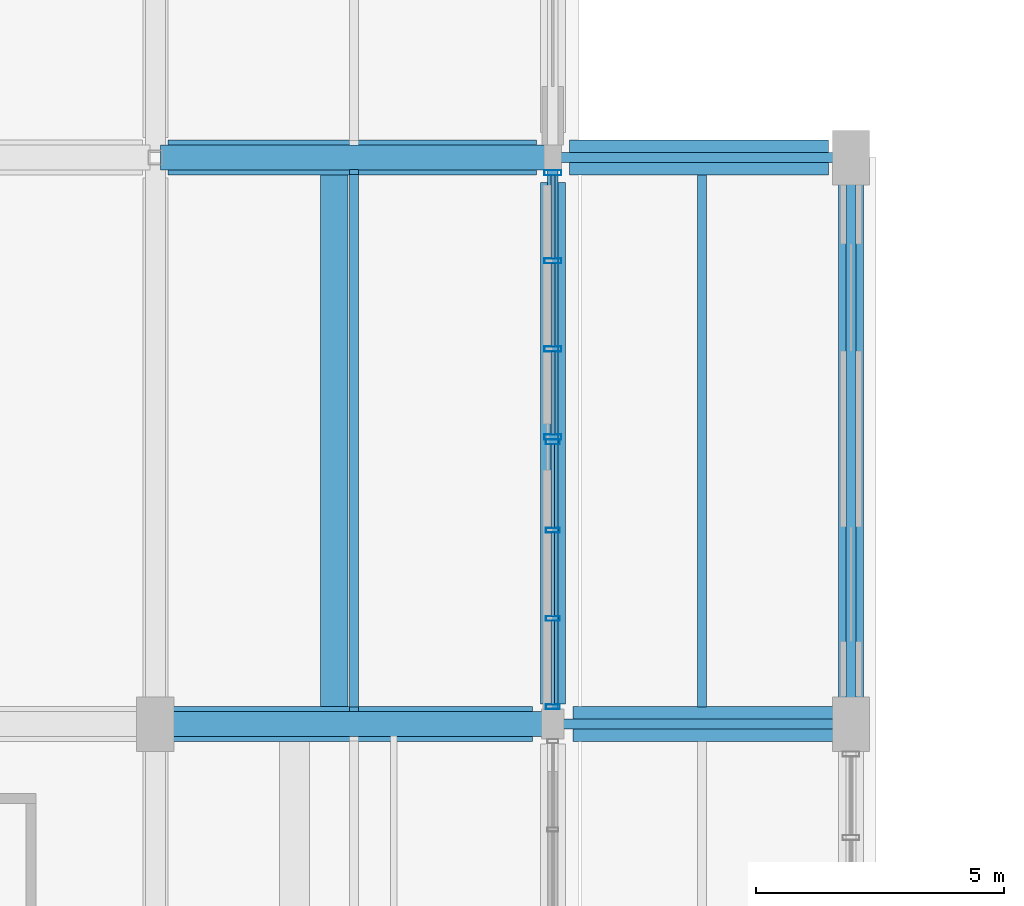
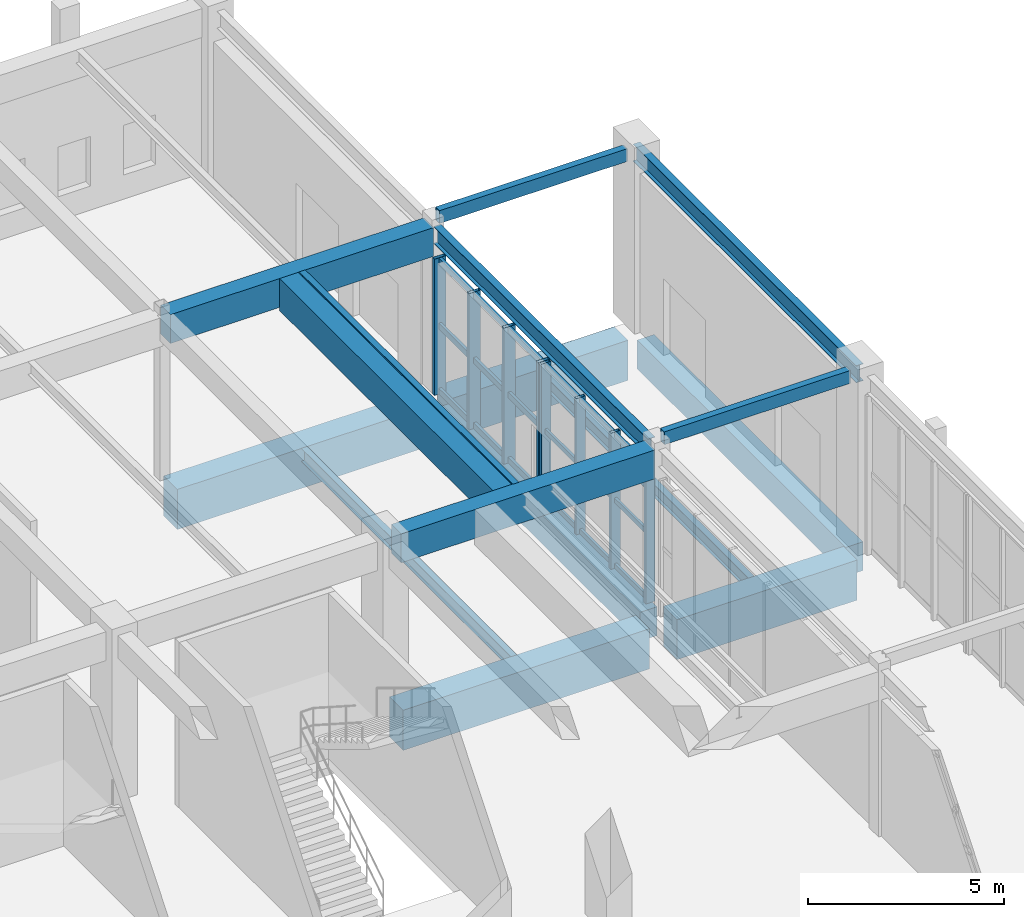
# One storey, part 52 of 113: 26 members, 16 beams, 2 elements without a shape of their own.
"""IFC4 building model written with IfcOpenShell, lengths in metres."""

import ifcopenshell
import ifcopenshell.guid

model = None  # the IFC model being written
_history = None  # IfcOwnerHistory: only IFC2X3 demands one
_inside = {}  # id of a spatial element -> (the spatial element, [elements in it])
_under = {}  # id of a project, library or spatial element -> (it, [spatial elements below it])
_declared = {}  # id of a project -> (the project, [libraries it declares])
_typed = {}  # id of a type object -> (the type object, [elements of that type])
_made_of = {}  # id of a material, layer set ... -> (it, [elements and type objects made of it])


def new_model(schema):
    """Start an empty IFC model of exactly this schema.

    Asked for "IFC4X3", IfcOpenShell would pick the latest addendum, in which some entities
    have other attributes; the version numbers below select the first issue.
    IFC2X3 requires an IfcOwnerHistory on every rooted entity: one is made here for all.
    """
    global model, _history
    if schema == "IFC4X3":
        model = ifcopenshell.file(schema_version=(4, 3, 0, 0))
    else:
        model = ifcopenshell.file(schema=schema)
    _inside.clear()
    _under.clear()
    _declared.clear()
    _typed.clear()
    _made_of.clear()
    _history = None
    if model.schema == "IFC2X3":
        org = make("IfcOrganization", Name="unknown")
        user = make(
            "IfcPersonAndOrganization",
            ThePerson=make("IfcPerson", FamilyName="unknown"),
            TheOrganization=org,
        )
        app = make(
            "IfcApplication",
            ApplicationDeveloper=org,
            Version="unknown",
            ApplicationFullName="unknown",
            ApplicationIdentifier="unknown",
        )
        _history = make(
            "IfcOwnerHistory",
            OwningUser=user,
            OwningApplication=app,
            ChangeAction="ADDED",
            CreationDate=0,
        )
    return model


def make(cls, **values):
    """One entity of the class cls with the attributes given. An attribute that is None is left unset."""
    return model.create_entity(
        cls, **{name: value for name, value in values.items() if value is not None}
    )


def rooted(cls, **values):
    """An entity with a GlobalId (a new one), such as an element, a storey or a relation."""
    return make(cls, GlobalId=ifcopenshell.guid.new(), OwnerHistory=_history, **values)


def si_unit(unit_type, name, prefix=None):
    """IfcSIUnit, for example si_unit("LENGTHUNIT", "METRE", prefix="MILLI")."""
    return make("IfcSIUnit", UnitType=unit_type, Prefix=prefix, Name=name)


def assignment(units):
    """IfcUnitAssignment: the units of a project."""
    return None if units is None else make("IfcUnitAssignment", Units=units)


def point(xyz):
    """IfcCartesianPoint."""
    return None if xyz is None else make("IfcCartesianPoint", Coordinates=xyz)


def direction(xyz):
    """IfcDirection."""
    return None if xyz is None else make("IfcDirection", DirectionRatios=xyz)


def frame(location, z_axis=None, x_axis=None):
    """IfcAxis2Placement3D, a coordinate frame: its origin and axes. An axis left out is left unset."""
    return make(
        "IfcAxis2Placement3D",
        Location=point(location),
        Axis=direction(z_axis),
        RefDirection=direction(x_axis),
    )


def frame_2d(location, x_axis=None):
    """IfcAxis2Placement2D, a coordinate frame in the plane: its origin and x axis."""
    return make(
        "IfcAxis2Placement2D", Location=point(location), RefDirection=direction(x_axis)
    )


def origin():
    """The frame at (0, 0, 0) with its axes left unset."""
    return frame((0.0, 0.0, 0.0))


def origin_2d():
    """The frame at (0, 0) in the plane with its x axis left unset."""
    return frame_2d((0.0, 0.0))


def place(relative_to, where):
    """IfcLocalPlacement: puts the frame where relative to a parent placement (None: the world)."""
    return make(
        "IfcLocalPlacement", PlacementRelTo=relative_to, RelativePlacement=where
    )


def context(
    kind, dimensions, precision=None, world=None, true_north=None, identifier=None
):
    """IfcGeometricRepresentationContext, for example the 3D "Model" context."""
    return make(
        "IfcGeometricRepresentationContext",
        ContextIdentifier=identifier,
        ContextType=kind,
        CoordinateSpaceDimension=dimensions,
        Precision=precision,
        WorldCoordinateSystem=world,
        TrueNorth=true_north,
    )


def subcontext(parent, identifier, kind, view, scale=None):
    """IfcGeometricRepresentationSubContext, for example "Body" below "Model"."""
    return make(
        "IfcGeometricRepresentationSubContext",
        ContextIdentifier=identifier,
        ContextType=kind,
        ParentContext=parent,
        TargetScale=scale,
        TargetView=view,
    )


def project(units=None, contexts=None):
    """IfcProject with its units and contexts."""
    return rooted(
        "IfcProject",
        Name="project",
        RepresentationContexts=contexts,
        UnitsInContext=assignment(units),
    )


def spatial(cls, under=None, at=None, **own):
    """A site, building, storey or space (cls), placed at a placement, below another one or the project."""
    s = rooted(cls, ObjectPlacement=at, **own)
    if under is not None:
        _under.setdefault(under.id(), (under, []))[1].append(s)
    return s


def profile(cls, at=None, kind="AREA", **sizes):
    """A parametric profile (cls). Its sizes go by their IFC names, for example OverallWidth=200.0."""
    return make(cls, ProfileType=kind, Position=at, **sizes)


def rectangle(**sizes):
    """IfcRectangleProfileDef."""
    return profile("IfcRectangleProfileDef", **sizes)


def hollow_rectangle(**sizes):
    """IfcRectangleHollowProfileDef."""
    return profile("IfcRectangleHollowProfileDef", **sizes)


def i_section(**sizes):
    """IfcIShapeProfileDef."""
    return profile("IfcIShapeProfileDef", **sizes)


def extrude(swept, where, along, depth):
    """IfcExtrudedAreaSolid: the profile swept, set in the frame where, extruded along a direction by depth."""
    return make(
        "IfcExtrudedAreaSolid",
        SweptArea=swept,
        Position=where,
        ExtrudedDirection=direction(along),
        Depth=depth,
    )


def shape(context_of_items, identifier, shape_type, items):
    """IfcShapeRepresentation: the items that make up one representation, for example the "Body"."""
    return make(
        "IfcShapeRepresentation",
        ContextOfItems=context_of_items,
        RepresentationIdentifier=identifier,
        RepresentationType=shape_type,
        Items=items,
    )


def material(Name=None, Category=None):
    """IfcMaterial."""
    return make("IfcMaterial", Name=Name, Category=Category)


def layer(
    of_material, thickness, ventilated=None, Name=None, Category=None, Priority=None
):
    """IfcMaterialLayer: one layer of a wall or slab, of a material (None: an air gap)."""
    return make(
        "IfcMaterialLayer",
        Material=of_material,
        LayerThickness=thickness,
        IsVentilated=ventilated,
        Name=Name,
        Category=Category,
        Priority=Priority,
    )


def layer_set(layers, Name=None):
    """IfcMaterialLayerSet."""
    return make("IfcMaterialLayerSet", MaterialLayers=layers, LayerSetName=Name)


def material_profile(
    of_material, cross_section, Name=None, Category=None, Priority=None
):
    """IfcMaterialProfile: a cross section and its material."""
    return make(
        "IfcMaterialProfile",
        Name=Name,
        Material=of_material,
        Profile=cross_section,
        Priority=Priority,
        Category=Category,
    )


def profile_set(profiles, Name=None, composite=None):
    """IfcMaterialProfileSet."""
    return make(
        "IfcMaterialProfileSet",
        Name=Name,
        MaterialProfiles=profiles,
        CompositeProfile=composite,
    )


def made_of(thing, what):
    """Note that an element or type object is made of a material, layer set ...; save() writes the relation."""
    if what is not None:
        _made_of.setdefault(what.id(), (what, []))[1].append(thing)
    return thing


def type_object(cls, material=None, **own):
    """A type object (cls), such as IfcWallType, which elements share."""
    return made_of(rooted(cls, **own), material)


def element(
    cls,
    number,
    at=None,
    inside=None,
    cuts=None,
    type_object=None,
    material=None,
    context=None,
    identifier="Body",
    shape_type=None,
    held_by="IfcProductDefinitionShape",
    body=None,
    shapes=None,
    **own,
):
    """One element of the class cls, such as IfcWall. Its Tag is "e" and its number.

    at: its placement. inside: the storey or other place that contains it. cuts: it is an
    opening in that element (IfcRelVoidsElement). A single representation is given by context,
    identifier, shape_type and body (its items); several are given by shapes. held_by: the class
    of the entity that holds the representations. save() writes the other relations.
    """
    e = rooted(cls, Tag="e%d" % number, ObjectPlacement=at, **own)
    if body is not None:
        shapes = [shape(context, identifier, shape_type, body)]
    if shapes is not None:
        e.Representation = make(held_by, Representations=shapes)
    if inside is not None:
        _inside.setdefault(inside.id(), (inside, []))[1].append(e)
    if cuts is not None:
        rooted(
            "IfcRelVoidsElement", RelatingBuildingElement=cuts, RelatedOpeningElement=e
        )
    if type_object is not None:
        _typed.setdefault(type_object.id(), (type_object, []))[1].append(e)
    return made_of(e, material)


def aggregate(whole, parts):
    """IfcRelAggregates: a whole, such as a stair, and the parts it consists of."""
    return rooted("IfcRelAggregates", RelatingObject=whole, RelatedObjects=parts)


def save(model, path):
    """Write the relations noted so far, then the file.

    IfcRelAggregates (storeys below a building ...), IfcRelContainedInSpatialStructure (elements
    in a storey), IfcRelDefinesByType, IfcRelAssociatesMaterial and IfcRelDeclares: one each for
    every whole, place, type object, material and project.
    """
    for whole, parts in _under.values():
        aggregate(whole, parts)
    for where, things in _inside.values():
        rooted(
            "IfcRelContainedInSpatialStructure",
            RelatedElements=things,
            RelatingStructure=where,
        )
    for kind, things in _typed.values():
        rooted("IfcRelDefinesByType", RelatedObjects=things, RelatingType=kind)
    for what, things in _made_of.values():
        rooted("IfcRelAssociatesMaterial", RelatedObjects=things, RelatingMaterial=what)
    for by, libraries in _declared.values():
        rooted("IfcRelDeclares", RelatingContext=by, RelatedDefinitions=libraries)
    model.write(path)


model = new_model("IFC4")

# Units and contexts
model_context = context("Model", 3, precision=1e-05, world=origin(), true_north=direction((0.0, 1.0)))
body_context = subcontext(model_context, "Body", "Model", "MODEL_VIEW")
ifc_project = project(units=[si_unit("LENGTHUNIT", "METRE"), si_unit("AREAUNIT", "SQUARE_METRE"), si_unit("VOLUMEUNIT", "CUBIC_METRE"), si_unit("PLANEANGLEUNIT", "RADIAN"), si_unit("MASSUNIT", "GRAM", prefix="KILO"), si_unit("POWERUNIT", "WATT"), si_unit("THERMODYNAMICTEMPERATUREUNIT", "KELVIN")], contexts=[model_context])

# Site, building, storey
site_placement = place(None, origin())
site = spatial("IfcSite", under=ifc_project, at=site_placement, CompositionType="ELEMENT")
building_placement = place(site_placement, origin())
building = spatial("IfcBuilding", under=site, at=building_placement, Name="Kelmbourne Parkland Aquatics Centre", CompositionType="ELEMENT")
storey_placement = place(building_placement, origin())
storey = spatial("IfcBuildingStorey", under=building, at=storey_placement, Name="L00", CompositionType="ELEMENT", Elevation=0.0)

# Beams
ifc_material_1 = material(Name="Concrete C40/50", Category="concrete")
ifc_material_profile_1 = material_profile(ifc_material_1, rectangle(XDim=0.550048828125, YDim=1.0, at=origin_2d()), Name="RC 550x1000")
ifc_profile_set_1 = profile_set([ifc_material_profile_1], Name="Concrete C40/50")
beam_type_1 = type_object("IfcBeamType", Name="BM-G02", PredefinedType="BEAM", material=ifc_profile_set_1)
beam_1_placement = place(storey_placement, frame((35.60009765625, 80.842041015625, 4.659912109375), z_axis=(0.0, 1.0, 0.0), x_axis=(-1.0, 0.0, 0.0)))
element("IfcBeam", 1, at=beam_1_placement, inside=storey, type_object=beam_type_1, Name="Deck secondary trim beam 18", PredefinedType="BEAM", context=body_context, shape_type="SweptSolid", body=[
    extrude(rectangle(XDim=0.550048828125, YDim=1.0, at=origin_2d()), origin(), (0.0, 0.0, 1.0), 10.916015625),
])
ifc_material_profile_2 = material_profile(ifc_material_1, rectangle(XDim=0.5, YDim=0.89990234375, at=origin_2d()), Name="RC 500x900")
ifc_profile_set_2 = profile_set([ifc_material_profile_2], Name="Concrete C40/50")
beam_type_2 = type_object("IfcBeamType", Name="BM-G03", PredefinedType="BEAM", material=ifc_profile_set_2)
beam_2_placement = place(storey_placement, frame((40.0, 81.0048828125, -0.72998046875), z_axis=(0.0, 1.0, 0.0), x_axis=(-1.0, 0.0, 0.0)))
element("IfcBeam", 2, at=beam_2_placement, inside=storey, type_object=beam_type_2, Name="Primary girder 11-12 Grid F (L00)", PredefinedType="BEAM", context=body_context, shape_type="SweptSolid", body=[
    extrude(rectangle(XDim=0.5, YDim=0.89990234375, at=origin_2d()), origin(), (0.0, 0.0, 1.0), 10.490234375),
])
beam_3_placement = place(storey_placement, frame((46.0, 80.8798828125, -0.72998046875), z_axis=(0.0, 1.0, 0.0), x_axis=(-1.0, 0.0, 0.0)))
element("IfcBeam", 3, at=beam_3_placement, inside=storey, type_object=beam_type_2, Name="Primary girder 11-12 Grid G (L00)", PredefinedType="BEAM", context=body_context, shape_type="SweptSolid", body=[
    extrude(rectangle(XDim=0.5, YDim=0.89990234375, at=origin_2d()), origin(), (0.0, 0.0, 1.0), 10.6650390625),
])
beam_4_placement = place(storey_placement, frame((32.330078125, 80.60009765625, 4.7099609375), z_axis=(1.0, 0.0, 0.0), x_axis=(0.0, 1.0, 0.0)))
element("IfcBeam", 4, at=beam_4_placement, inside=storey, type_object=beam_type_2, Name="Primary girder E-F Grid 11 (L01)", PredefinedType="BEAM", context=body_context, shape_type="SweptSolid", body=[
    extrude(rectangle(XDim=0.5, YDim=0.89990234375, at=origin_2d()), origin(), (0.0, 0.0, 1.0), 7.489990234375),
])
beam_5_placement = place(storey_placement, frame((32.10498046875, 92.0, 4.7099609375), z_axis=(1.0, 0.0, 0.0), x_axis=(0.0, 1.0, 0.0)))
element("IfcBeam", 5, at=beam_5_placement, inside=storey, type_object=beam_type_2, Name="Primary girder E-F Grid 12 (L01)", PredefinedType="BEAM", context=body_context, shape_type="SweptSolid", body=[
    extrude(rectangle(XDim=0.5, YDim=0.89990234375, at=origin_2d()), origin(), (0.0, 0.0, 1.0), 7.76513671875),
])
ifc_material_2 = material(Name="Concrete C50/60", Category="concrete")
ifc_material_profile_3 = material_profile(ifc_material_2, rectangle(XDim=0.699951171875, YDim=1.25, at=origin_2d()), Name="RC 700x1250")
ifc_profile_set_3 = profile_set([ifc_material_profile_3], Name="Concrete C50/60")
beam_type_3 = type_object("IfcBeamType", Name="BM-G08", PredefinedType="BEAM", material=ifc_profile_set_3)
beam_6_placement = place(storey_placement, frame((32.330078125, 80.60009765625, -0.905029296875), z_axis=(1.0, 0.0, 0.0), x_axis=(0.0, 1.0, 0.0)))
element("IfcBeam", 6, at=beam_6_placement, inside=storey, type_object=beam_type_3, Name="Primary girder E-F Grid 11 (L00)", PredefinedType="BEAM", context=body_context, shape_type="SweptSolid", body=[
    extrude(rectangle(XDim=0.699951171875, YDim=1.25, at=origin_2d()), origin(), (0.0, 0.0, 1.0), 7.264892578125),
])
beam_7_placement = place(storey_placement, frame((40.405029296875, 80.60009765625, -0.905029296875), z_axis=(1.0, 0.0, 0.0), x_axis=(0.0, 1.0, 0.0)))
element("IfcBeam", 7, at=beam_7_placement, inside=storey, type_object=beam_type_3, Name="Primary girder F-G Grid 11 (L00)", PredefinedType="BEAM", context=body_context, shape_type="SweptSolid", body=[
    extrude(rectangle(XDim=0.699951171875, YDim=1.25, at=origin_2d()), origin(), (0.0, 0.0, 1.0), 5.31494140625),
])
beam_8_placement = place(storey_placement, frame((32.2548828125, 92.0, -0.905029296875), z_axis=(1.0, 0.0, 0.0), x_axis=(0.0, 1.0, 0.0)))
element("IfcBeam", 8, at=beam_8_placement, inside=storey, type_object=beam_type_3, Name="Primary girder E-F Grid 12 (L00)", PredefinedType="BEAM", context=body_context, shape_type="SweptSolid", body=[
    extrude(rectangle(XDim=0.699951171875, YDim=1.25, at=origin_2d()), origin(), (0.0, 0.0, 1.0), 7.4150390625),
])
beam_9_placement = place(storey_placement, frame((40.330078125, 92.0, -0.905029296875), z_axis=(1.0, 0.0, 0.0), x_axis=(0.0, 1.0, 0.0)))
element("IfcBeam", 9, at=beam_9_placement, inside=storey, type_object=beam_type_3, Name="Primary girder F-G Grid 12 (L00)", PredefinedType="BEAM", context=body_context, shape_type="SweptSolid", body=[
    extrude(rectangle(XDim=0.699951171875, YDim=1.25, at=origin_2d()), origin(), (0.0, 0.0, 1.0), 5.21484375),
])
ifc_material_3 = material(Name="Structural steel AS/NZS 3679.1 Grade 300", Category="steel")
ifc_material_profile_4 = material_profile(ifc_material_3, i_section(OverallWidth=0.177978515625, OverallDepth=0.406005859375, WebThickness=0.0078125, FlangeThickness=0.0126953125, at=origin_2d()), Name="410UB59.7")
ifc_profile_set_4 = profile_set([ifc_material_profile_4], Name="Structural steel AS/NZS 3679.1 Grade 300")
beam_type_4 = type_object("IfcBeamType", Name="BM-J01", PredefinedType="JOIST", material=ifc_profile_set_4)
for number, where, z_axis, x_axis, name in (
    (10, (36.0, 80.94189453125, -0.48291015625), (0.0, 1.0, 0.0), (-1.0, 0.0, 0.0), "Secondary floor joist E-F/11-12 #1 (L00)"),
    (11, (43.0, 80.94189453125, -0.48291015625), (0.0, 1.0, 0.0), (-1.0, 0.0, 0.0), "Secondary floor joist F-G/11-12 #1 (L00)"),
):
    element("IfcBeam", number, at=place(storey_placement, frame(where, z_axis=z_axis, x_axis=x_axis)), inside=storey, type_object=beam_type_4, Name=name, PredefinedType="JOIST", context=body_context, shape_type="SweptSolid", body=[
        extrude(i_section(OverallWidth=0.177978515625, OverallDepth=0.406005859375, WebThickness=0.0078125, FlangeThickness=0.0126953125, at=origin_2d()), origin(), (0.0, 0.0, 1.0), 10.716064453125),
    ])
beam_10_placement = place(storey_placement, frame((36.0, 80.842041015625, 4.95703125), z_axis=(0.0, 1.0, 0.0), x_axis=(-1.0, 0.0, 0.0)))
element("IfcBeam", 12, at=beam_10_placement, inside=storey, type_object=beam_type_4, Name="Secondary floor joist E-F/11-12 #1 (L01)", PredefinedType="JOIST", context=body_context, shape_type="SweptSolid", body=[
    extrude(i_section(OverallWidth=0.177978515625, OverallDepth=0.406005859375, WebThickness=0.0078125, FlangeThickness=0.0126953125, at=origin_2d()), origin(), (0.0, 0.0, 1.0), 10.916015625),
])
ifc_material_profile_5 = material_profile(ifc_material_3, i_section(OverallWidth=0.208984375, OverallDepth=0.532958984375, WebThickness=0.01025390625, FlangeThickness=0.015625, at=origin_2d()), Name="530UB92.4")
ifc_profile_set_5 = profile_set([ifc_material_profile_5], Name="Structural steel AS/NZS 3679.1 Grade 300")
beam_type_5 = type_object("IfcBeamType", Name="BM-SP02", PredefinedType="SPANDREL", material=ifc_profile_set_5)
beam_11_placement = place(storey_placement, frame((40.0, 80.85498046875, 4.8935546875), z_axis=(0.0, 1.0, 0.0), x_axis=(-1.0, 0.0, 0.0)))
element("IfcBeam", 13, at=beam_11_placement, inside=storey, type_object=beam_type_5, Name="Perimeter spandrel 11-12 Grid F (L01)", PredefinedType="SPANDREL", context=body_context, shape_type="SweptSolid", body=[
    extrude(i_section(OverallWidth=0.208984375, OverallDepth=0.532958984375, WebThickness=0.01025390625, FlangeThickness=0.015625, at=origin_2d()), origin(), (0.0, 0.0, 1.0), 10.93994140625),
])
beam_12_placement = place(storey_placement, frame((46.0, 80.60009765625, 5.2333984375), z_axis=(0.0, 1.0, 0.0), x_axis=(-1.0, 0.0, 0.0)))
element("IfcBeam", 14, at=beam_12_placement, inside=storey, type_object=beam_type_5, Name="Perimeter spandrel 11-12 Grid G (L01_COL)", PredefinedType="SPANDREL", context=body_context, shape_type="SweptSolid", body=[
    extrude(i_section(OverallWidth=0.208984375, OverallDepth=0.532958984375, WebThickness=0.01025390625, FlangeThickness=0.015625, at=origin_2d()), origin(), (0.0, 0.0, 1.0), 11.39990234375),
])
ifc_material_4 = material(Name="Cold-formed hollow steel AS/NZS 1163 C350L0", Category="steel")
ifc_material_profile_6 = material_profile(ifc_material_4, hollow_rectangle(XDim=0.199951171875, YDim=0.39990234375, WallThickness=0.012451171875, at=origin_2d()), Name="RHS 400x200x12.5")
ifc_profile_set_6 = profile_set([ifc_material_profile_6], Name="Cold-formed hollow steel AS/NZS 1163 C350L0")
beam_type_6 = type_object("IfcBeamType", Name="BM-SP03", PredefinedType="SPANDREL", material=ifc_profile_set_6)
beam_13_placement = place(storey_placement, frame((40.179931640625, 80.60009765625, 5.300048828125), z_axis=(1.0, 0.0, 0.0), x_axis=(0.0, 1.0, 0.0)))
element("IfcBeam", 15, at=beam_13_placement, inside=storey, type_object=beam_type_6, Name="Colonnade cross spandrel F-G Grid 11", PredefinedType="SPANDREL", context=body_context, shape_type="SweptSolid", body=[
    extrude(hollow_rectangle(XDim=0.199951171875, YDim=0.39990234375, WallThickness=0.012451171875, at=origin_2d()), origin(), (0.0, 0.0, 1.0), 5.489990234375),
])
beam_14_placement = place(storey_placement, frame((40.1298828125, 92.0, 5.300048828125), z_axis=(1.0, 0.0, 0.0), x_axis=(0.0, 1.0, 0.0)))
element("IfcBeam", 16, at=beam_14_placement, inside=storey, type_object=beam_type_6, Name="Colonnade cross spandrel F-G Grid 12", PredefinedType="SPANDREL", context=body_context, shape_type="SweptSolid", body=[
    extrude(hollow_rectangle(XDim=0.199951171875, YDim=0.39990234375, WallThickness=0.012451171875, at=origin_2d()), origin(), (0.0, 0.0, 1.0), 5.5400390625),
])

# Curtain wall, members
ifc_material_5 = material(Name="Thermally broken anodised aluminium framing", Category="aluminium")
ifc_layer_1 = layer(ifc_material_5, 0.179931640625)
ifc_layer_set_1 = layer_set([ifc_layer_1], Name="Thermally broken anodised aluminium framing")
curtain_wall_type_1 = type_object("IfcCurtainWallType", Name="CW-07", PredefinedType="NOTDEFINED", material=ifc_layer_set_1)
curtain_wall_1_placement = place(storey_placement, origin())
curtain_wall_1 = element("IfcCurtainWall", 17, at=curtain_wall_1_placement, inside=storey, type_object=curtain_wall_type_1, Name="Facade curtain wall CW-L00-223", PredefinedType="NOTDEFINED")
ifc_material_profile_7 = material_profile(ifc_material_5, hollow_rectangle(XDim=0.094970703125, YDim=0.280029296875, WallThickness=0.005615234375, at=origin_2d()), Name="CW-M 95x280")
ifc_profile_set_7 = profile_set([ifc_material_profile_7], Name="Thermally broken anodised aluminium framing")
member_type_1 = type_object("IfcMemberType", Name="MB-MUL-4", PredefinedType="MULLION", material=ifc_profile_set_7)
member_1_placement = place(storey_placement, frame((40.0, 80.949462890625, 0.0), z_axis=(0.0, 0.0, 1.0), x_axis=(0.0, 1.0, 0.0)))
member_1 = element("IfcMember", 18, at=member_1_placement, type_object=member_type_1, Name="CW-L00-223 mullion 0", PredefinedType="MULLION", context=body_context, shape_type="SweptSolid", body=[
    extrude(hollow_rectangle(XDim=0.094970703125, YDim=0.280029296875, WallThickness=0.005615234375, at=origin_2d()), origin(), (0.0, 0.0, 1.0), 4.2451171875),
])
member_2_placement = place(storey_placement, frame((40.0, 82.7255859375, 0.0), z_axis=(0.0, 0.0, 1.0), x_axis=(0.0, 1.0, 0.0)))
member_2 = element("IfcMember", 19, at=member_2_placement, type_object=member_type_1, Name="CW-L00-223 mullion 1", PredefinedType="MULLION", context=body_context, shape_type="SweptSolid", body=[
    extrude(hollow_rectangle(XDim=0.094970703125, YDim=0.280029296875, WallThickness=0.005615234375, at=origin_2d()), origin(), (0.0, 0.0, 1.0), 4.2451171875),
])
member_3_placement = place(storey_placement, frame((40.0, 84.50146484375, 0.0), z_axis=(0.0, 0.0, 1.0), x_axis=(0.0, 1.0, 0.0)))
member_3 = element("IfcMember", 20, at=member_3_placement, type_object=member_type_1, Name="CW-L00-223 mullion 2", PredefinedType="MULLION", context=body_context, shape_type="SweptSolid", body=[
    extrude(hollow_rectangle(XDim=0.094970703125, YDim=0.280029296875, WallThickness=0.005615234375, at=origin_2d()), origin(), (0.0, 0.0, 1.0), 4.2451171875),
])
member_4_placement = place(storey_placement, frame((40.0, 86.277587890625, 0.0), z_axis=(0.0, 0.0, 1.0), x_axis=(0.0, 1.0, 0.0)))
member_4 = element("IfcMember", 21, at=member_4_placement, type_object=member_type_1, Name="CW-L00-223 mullion 3", PredefinedType="MULLION", context=body_context, shape_type="SweptSolid", body=[
    extrude(hollow_rectangle(XDim=0.094970703125, YDim=0.280029296875, WallThickness=0.005615234375, at=origin_2d()), origin(), (0.0, 0.0, 1.0), 4.2451171875),
])

ifc_layer_2 = layer(ifc_material_5, 0.179931640625)
ifc_layer_set_2 = layer_set([ifc_layer_2], Name="Thermally broken anodised aluminium framing")
curtain_wall_type_2 = type_object("IfcCurtainWallType", Name="CW-08", PredefinedType="NOTDEFINED", material=ifc_layer_set_2)
curtain_wall_2_placement = place(storey_placement, origin())
curtain_wall_2 = element("IfcCurtainWall", 22, at=curtain_wall_2_placement, inside=storey, type_object=curtain_wall_type_2, Name="Facade curtain wall CW-L00-224", PredefinedType="NOTDEFINED")
ifc_material_profile_8 = material_profile(ifc_material_5, hollow_rectangle(XDim=0.10498046875, YDim=0.340087890625, WallThickness=0.006103515625, at=origin_2d()), Name="CW-M 105x340")
ifc_profile_set_8 = profile_set([ifc_material_profile_8], Name="Thermally broken anodised aluminium framing")
member_type_2 = type_object("IfcMemberType", Name="MB-MUL-5", PredefinedType="MULLION", material=ifc_profile_set_8)
member_5_placement = place(storey_placement, frame((40.0, 86.37744140625, 0.0), z_axis=(0.0, 0.0, 1.0), x_axis=(0.0, 1.0, 0.0)))
member_5 = element("IfcMember", 23, at=member_5_placement, type_object=member_type_2, Name="CW-L00-224 mullion 0", PredefinedType="MULLION", context=body_context, shape_type="SweptSolid", body=[
    extrude(hollow_rectangle(XDim=0.10498046875, YDim=0.340087890625, WallThickness=0.006103515625, at=origin_2d()), origin(), (0.0, 0.0, 1.0), 4.2451171875),
])
member_6_placement = place(storey_placement, frame((40.0, 88.150146484375, 0.0), z_axis=(0.0, 0.0, 1.0), x_axis=(0.0, 1.0, 0.0)))
member_6 = element("IfcMember", 24, at=member_6_placement, type_object=member_type_2, Name="CW-L00-224 mullion 1", PredefinedType="MULLION", context=body_context, shape_type="SweptSolid", body=[
    extrude(hollow_rectangle(XDim=0.10498046875, YDim=0.340087890625, WallThickness=0.006103515625, at=origin_2d()), origin(), (0.0, 0.0, 1.0), 4.2451171875),
])
member_7_placement = place(storey_placement, frame((40.0, 89.9228515625, 0.0), z_axis=(0.0, 0.0, 1.0), x_axis=(0.0, 1.0, 0.0)))
member_7 = element("IfcMember", 25, at=member_7_placement, type_object=member_type_2, Name="CW-L00-224 mullion 2", PredefinedType="MULLION", context=body_context, shape_type="SweptSolid", body=[
    extrude(hollow_rectangle(XDim=0.10498046875, YDim=0.340087890625, WallThickness=0.006103515625, at=origin_2d()), origin(), (0.0, 0.0, 1.0), 4.2451171875),
])
member_8_placement = place(storey_placement, frame((40.0, 91.695556640625, 0.0), z_axis=(0.0, 0.0, 1.0), x_axis=(0.0, 1.0, 0.0)))
member_8 = element("IfcMember", 26, at=member_8_placement, type_object=member_type_2, Name="CW-L00-224 mullion 3", PredefinedType="MULLION", context=body_context, shape_type="SweptSolid", body=[
    extrude(hollow_rectangle(XDim=0.10498046875, YDim=0.340087890625, WallThickness=0.006103515625, at=origin_2d()), origin(), (0.0, 0.0, 1.0), 4.2451171875),
])

# Member
ifc_material_profile_9 = material_profile(ifc_material_5, hollow_rectangle(XDim=0.074951171875, YDim=0.14990234375, WallThickness=0.00390625, at=origin_2d()), Name="CW-T 75x150")
ifc_profile_set_9 = profile_set([ifc_material_profile_9], Name="Thermally broken anodised aluminium framing")
member_type_3 = type_object("IfcMemberType", Name="MB-TRN-2", PredefinedType="USERDEFINED", material=ifc_profile_set_9)
member_9_placement = place(storey_placement, frame((40.0, 80.992919921875, 0.077880859375), z_axis=(0.0, 1.0, 0.0), x_axis=(-1.0, 0.0, 0.0)))
member_9 = element("IfcMember", 27, at=member_9_placement, type_object=member_type_3, Name="CW-L00-223 transom 0-0", ObjectType="TRANSOM", PredefinedType="USERDEFINED", context=body_context, shape_type="SweptSolid", body=[
    extrude(hollow_rectangle(XDim=0.074951171875, YDim=0.14990234375, WallThickness=0.00390625, at=origin_2d()), origin(), (0.0, 0.0, 1.0), 1.68896484375),
])

member_10_placement = place(storey_placement, frame((40.0, 82.76904296875, 0.077880859375), z_axis=(0.0, 1.0, 0.0), x_axis=(-1.0, 0.0, 0.0)))
member_10 = element("IfcMember", 28, at=member_10_placement, type_object=member_type_3, Name="CW-L00-223 transom 0-1", ObjectType="TRANSOM", PredefinedType="USERDEFINED", context=body_context, shape_type="SweptSolid", body=[
    extrude(hollow_rectangle(XDim=0.074951171875, YDim=0.14990234375, WallThickness=0.00390625, at=origin_2d()), origin(), (0.0, 0.0, 1.0), 1.68896484375),
])

member_11_placement = place(storey_placement, frame((40.0, 84.544921875, 0.077880859375), z_axis=(0.0, 1.0, 0.0), x_axis=(-1.0, 0.0, 0.0)))
member_11 = element("IfcMember", 29, at=member_11_placement, type_object=member_type_3, Name="CW-L00-223 transom 0-2", ObjectType="TRANSOM", PredefinedType="USERDEFINED", context=body_context, shape_type="SweptSolid", body=[
    extrude(hollow_rectangle(XDim=0.074951171875, YDim=0.14990234375, WallThickness=0.00390625, at=origin_2d()), origin(), (0.0, 0.0, 1.0), 1.68896484375),
])

member_12_placement = place(storey_placement, frame((40.0, 80.992919921875, 2.12255859375), z_axis=(0.0, 1.0, 0.0), x_axis=(-1.0, 0.0, 0.0)))
member_12 = element("IfcMember", 30, at=member_12_placement, type_object=member_type_3, Name="CW-L00-223 transom 1-0", ObjectType="TRANSOM", PredefinedType="USERDEFINED", context=body_context, shape_type="SweptSolid", body=[
    extrude(hollow_rectangle(XDim=0.074951171875, YDim=0.14990234375, WallThickness=0.00390625, at=origin_2d()), origin(), (0.0, 0.0, 1.0), 1.68896484375),
])

member_13_placement = place(storey_placement, frame((40.0, 82.76904296875, 2.12255859375), z_axis=(0.0, 1.0, 0.0), x_axis=(-1.0, 0.0, 0.0)))
member_13 = element("IfcMember", 31, at=member_13_placement, type_object=member_type_3, Name="CW-L00-223 transom 1-1", ObjectType="TRANSOM", PredefinedType="USERDEFINED", context=body_context, shape_type="SweptSolid", body=[
    extrude(hollow_rectangle(XDim=0.074951171875, YDim=0.14990234375, WallThickness=0.00390625, at=origin_2d()), origin(), (0.0, 0.0, 1.0), 1.68896484375),
])

member_14_placement = place(storey_placement, frame((40.0, 84.544921875, 2.12255859375), z_axis=(0.0, 1.0, 0.0), x_axis=(-1.0, 0.0, 0.0)))
member_14 = element("IfcMember", 32, at=member_14_placement, type_object=member_type_3, Name="CW-L00-223 transom 1-2", ObjectType="TRANSOM", PredefinedType="USERDEFINED", context=body_context, shape_type="SweptSolid", body=[
    extrude(hollow_rectangle(XDim=0.074951171875, YDim=0.14990234375, WallThickness=0.00390625, at=origin_2d()), origin(), (0.0, 0.0, 1.0), 1.68896484375),
])

member_15_placement = place(storey_placement, frame((40.0, 80.992919921875, 4.1669921875), z_axis=(0.0, 1.0, 0.0), x_axis=(-1.0, 0.0, 0.0)))
member_15 = element("IfcMember", 33, at=member_15_placement, type_object=member_type_3, Name="CW-L00-223 transom 2-0", ObjectType="TRANSOM", PredefinedType="USERDEFINED", context=body_context, shape_type="SweptSolid", body=[
    extrude(hollow_rectangle(XDim=0.074951171875, YDim=0.14990234375, WallThickness=0.00390625, at=origin_2d()), origin(), (0.0, 0.0, 1.0), 1.68896484375),
])

member_16_placement = place(storey_placement, frame((40.0, 82.76904296875, 4.1669921875), z_axis=(0.0, 1.0, 0.0), x_axis=(-1.0, 0.0, 0.0)))
member_16 = element("IfcMember", 34, at=member_16_placement, type_object=member_type_3, Name="CW-L00-223 transom 2-1", ObjectType="TRANSOM", PredefinedType="USERDEFINED", context=body_context, shape_type="SweptSolid", body=[
    extrude(hollow_rectangle(XDim=0.074951171875, YDim=0.14990234375, WallThickness=0.00390625, at=origin_2d()), origin(), (0.0, 0.0, 1.0), 1.68896484375),
])

member_17_placement = place(storey_placement, frame((40.0, 84.544921875, 4.1669921875), z_axis=(0.0, 1.0, 0.0), x_axis=(-1.0, 0.0, 0.0)))
member_17 = element("IfcMember", 35, at=member_17_placement, type_object=member_type_3, Name="CW-L00-223 transom 2-2", ObjectType="TRANSOM", PredefinedType="USERDEFINED", context=body_context, shape_type="SweptSolid", body=[
    extrude(hollow_rectangle(XDim=0.074951171875, YDim=0.14990234375, WallThickness=0.00390625, at=origin_2d()), origin(), (0.0, 0.0, 1.0), 1.68896484375),
])

aggregate(curtain_wall_1, [member_1, member_2, member_3, member_4, member_9, member_10, member_11, member_12, member_13, member_14, member_15, member_16, member_17])

ifc_material_profile_10 = material_profile(ifc_material_5, hollow_rectangle(XDim=0.0849609375, YDim=0.179931640625, WallThickness=0.00439453125, at=origin_2d()), Name="CW-T 85x180")
ifc_profile_set_10 = profile_set([ifc_material_profile_10], Name="Thermally broken anodised aluminium framing")
member_type_4 = type_object("IfcMemberType", Name="MB-TRN-3", PredefinedType="USERDEFINED", material=ifc_profile_set_10)
member_18_placement = place(storey_placement, frame((40.0, 86.426025390625, 0.093017578125), z_axis=(0.0, 1.0, 0.0), x_axis=(-1.0, 0.0, 0.0)))
member_18 = element("IfcMember", 36, at=member_18_placement, type_object=member_type_4, Name="CW-L00-224 transom 0-0", ObjectType="TRANSOM", PredefinedType="USERDEFINED", context=body_context, shape_type="SweptSolid", body=[
    extrude(hollow_rectangle(XDim=0.0849609375, YDim=0.179931640625, WallThickness=0.00439453125, at=origin_2d()), origin(), (0.0, 0.0, 1.0), 1.67578125),
])

member_19_placement = place(storey_placement, frame((40.0, 88.19873046875, 0.093017578125), z_axis=(0.0, 1.0, 0.0), x_axis=(-1.0, 0.0, 0.0)))
member_19 = element("IfcMember", 37, at=member_19_placement, type_object=member_type_4, Name="CW-L00-224 transom 0-1", ObjectType="TRANSOM", PredefinedType="USERDEFINED", context=body_context, shape_type="SweptSolid", body=[
    extrude(hollow_rectangle(XDim=0.0849609375, YDim=0.179931640625, WallThickness=0.00439453125, at=origin_2d()), origin(), (0.0, 0.0, 1.0), 1.675537109375),
])

member_20_placement = place(storey_placement, frame((40.0, 89.97119140625, 0.093017578125), z_axis=(0.0, 1.0, 0.0), x_axis=(-1.0, 0.0, 0.0)))
member_20 = element("IfcMember", 38, at=member_20_placement, type_object=member_type_4, Name="CW-L00-224 transom 0-2", ObjectType="TRANSOM", PredefinedType="USERDEFINED", context=body_context, shape_type="SweptSolid", body=[
    extrude(hollow_rectangle(XDim=0.0849609375, YDim=0.179931640625, WallThickness=0.00439453125, at=origin_2d()), origin(), (0.0, 0.0, 1.0), 1.67578125),
])

member_21_placement = place(storey_placement, frame((40.0, 86.426025390625, 2.12255859375), z_axis=(0.0, 1.0, 0.0), x_axis=(-1.0, 0.0, 0.0)))
member_21 = element("IfcMember", 39, at=member_21_placement, type_object=member_type_4, Name="CW-L00-224 transom 1-0", ObjectType="TRANSOM", PredefinedType="USERDEFINED", context=body_context, shape_type="SweptSolid", body=[
    extrude(hollow_rectangle(XDim=0.0849609375, YDim=0.179931640625, WallThickness=0.00439453125, at=origin_2d()), origin(), (0.0, 0.0, 1.0), 1.67578125),
])

member_22_placement = place(storey_placement, frame((40.0, 88.19873046875, 2.12255859375), z_axis=(0.0, 1.0, 0.0), x_axis=(-1.0, 0.0, 0.0)))
member_22 = element("IfcMember", 40, at=member_22_placement, type_object=member_type_4, Name="CW-L00-224 transom 1-1", ObjectType="TRANSOM", PredefinedType="USERDEFINED", context=body_context, shape_type="SweptSolid", body=[
    extrude(hollow_rectangle(XDim=0.0849609375, YDim=0.179931640625, WallThickness=0.00439453125, at=origin_2d()), origin(), (0.0, 0.0, 1.0), 1.675537109375),
])

member_23_placement = place(storey_placement, frame((40.0, 89.97119140625, 2.12255859375), z_axis=(0.0, 1.0, 0.0), x_axis=(-1.0, 0.0, 0.0)))
member_23 = element("IfcMember", 41, at=member_23_placement, type_object=member_type_4, Name="CW-L00-224 transom 1-2", ObjectType="TRANSOM", PredefinedType="USERDEFINED", context=body_context, shape_type="SweptSolid", body=[
    extrude(hollow_rectangle(XDim=0.0849609375, YDim=0.179931640625, WallThickness=0.00439453125, at=origin_2d()), origin(), (0.0, 0.0, 1.0), 1.67578125),
])

member_24_placement = place(storey_placement, frame((40.0, 86.426025390625, 4.152099609375), z_axis=(0.0, 1.0, 0.0), x_axis=(-1.0, 0.0, 0.0)))
member_24 = element("IfcMember", 42, at=member_24_placement, type_object=member_type_4, Name="CW-L00-224 transom 2-0", ObjectType="TRANSOM", PredefinedType="USERDEFINED", context=body_context, shape_type="SweptSolid", body=[
    extrude(hollow_rectangle(XDim=0.0849609375, YDim=0.179931640625, WallThickness=0.00439453125, at=origin_2d()), origin(), (0.0, 0.0, 1.0), 1.67578125),
])

member_25_placement = place(storey_placement, frame((40.0, 88.19873046875, 4.152099609375), z_axis=(0.0, 1.0, 0.0), x_axis=(-1.0, 0.0, 0.0)))
member_25 = element("IfcMember", 43, at=member_25_placement, type_object=member_type_4, Name="CW-L00-224 transom 2-1", ObjectType="TRANSOM", PredefinedType="USERDEFINED", context=body_context, shape_type="SweptSolid", body=[
    extrude(hollow_rectangle(XDim=0.0849609375, YDim=0.179931640625, WallThickness=0.00439453125, at=origin_2d()), origin(), (0.0, 0.0, 1.0), 1.675537109375),
])

member_26_placement = place(storey_placement, frame((40.0, 89.97119140625, 4.152099609375), z_axis=(0.0, 1.0, 0.0), x_axis=(-1.0, 0.0, 0.0)))
member_26 = element("IfcMember", 44, at=member_26_placement, type_object=member_type_4, Name="CW-L00-224 transom 2-2", ObjectType="TRANSOM", PredefinedType="USERDEFINED", context=body_context, shape_type="SweptSolid", body=[
    extrude(hollow_rectangle(XDim=0.0849609375, YDim=0.179931640625, WallThickness=0.00439453125, at=origin_2d()), origin(), (0.0, 0.0, 1.0), 1.67578125),
])

aggregate(curtain_wall_2, [member_5, member_6, member_7, member_8, member_18, member_19, member_20, member_21, member_22, member_23, member_24, member_25, member_26])

save(model, "model.ifc")
